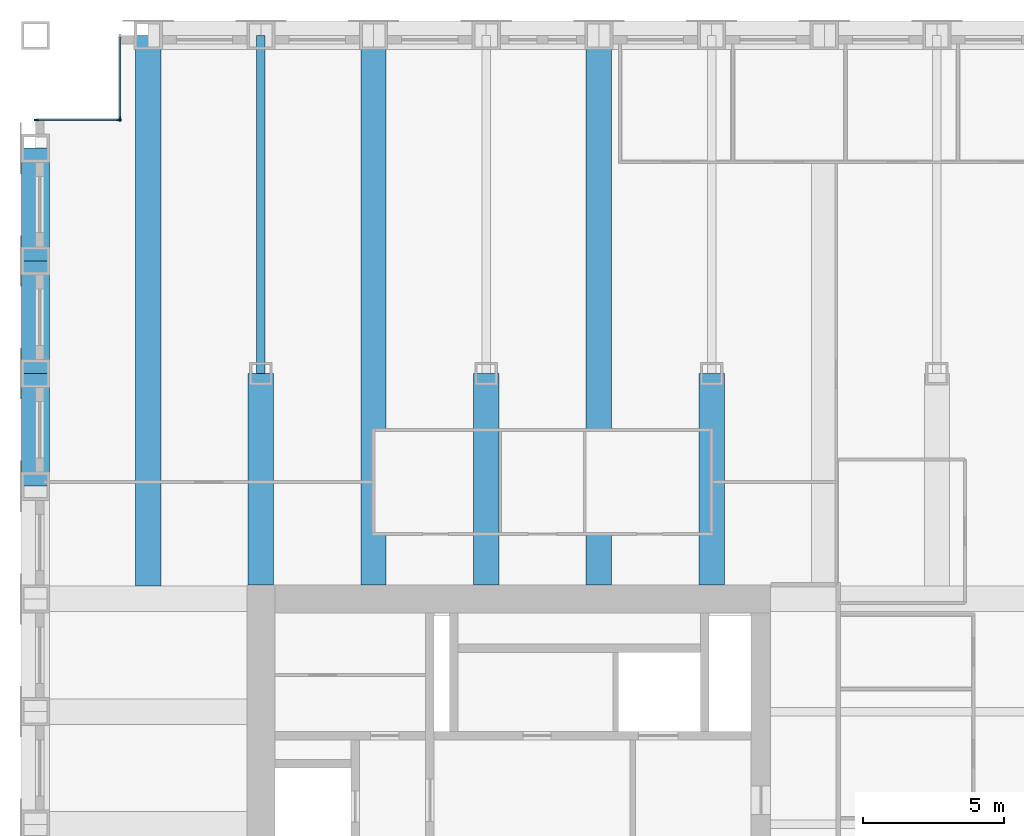
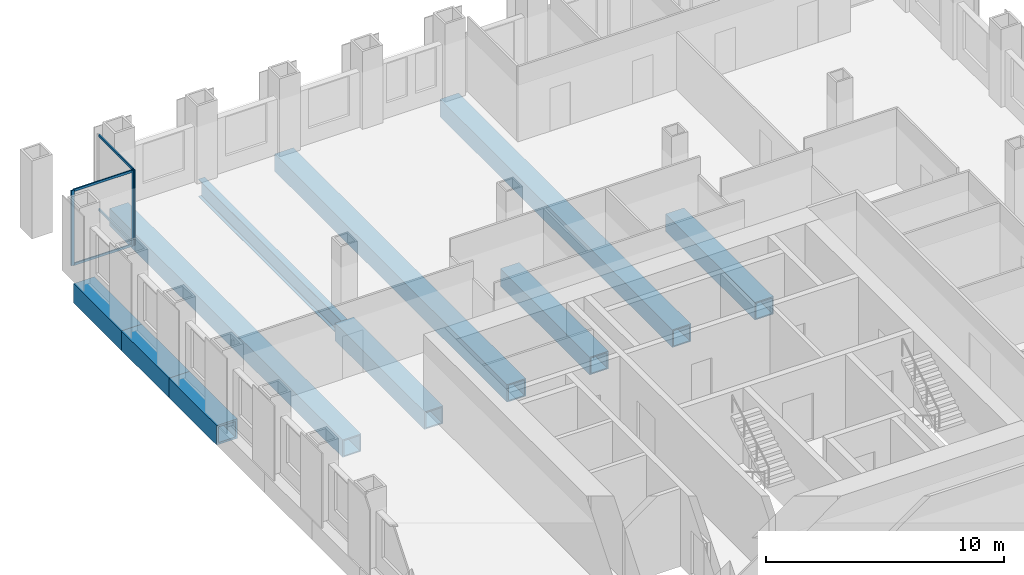
# One storey, part 5 of 13: 10 beams, 7 members, 2 elements without a shape of their own.
"""IFC4 building model written with IfcOpenShell, lengths in metres."""

from ifc_helpers import new_model, si_unit, direction, frame, origin, origin_2d, place, context, subcontext, project, spatial, rectangle, hollow_rectangle, i_section, extrude, material, material_profile, profile_set, type_object, element, aggregate, save


model = new_model("IFC4")

# Units and contexts
model_context = context("Model", 3, precision=1e-05, world=origin(), true_north=direction((0.0, 1.0)))
body_context = subcontext(model_context, "Body", "Model", "MODEL_VIEW")
ifc_project = project(units=[si_unit("LENGTHUNIT", "METRE"), si_unit("AREAUNIT", "SQUARE_METRE"), si_unit("VOLUMEUNIT", "CUBIC_METRE"), si_unit("PLANEANGLEUNIT", "RADIAN"), si_unit("MASSUNIT", "GRAM", prefix="KILO")], contexts=[model_context])

# Site, building, storey
site_placement = place(None, origin())
site = spatial("IfcSite", under=ifc_project, at=site_placement, CompositionType="ELEMENT")
building_placement = place(site_placement, origin())
building = spatial("IfcBuilding", under=site, at=building_placement, Name="Rimbunsela Tower", CompositionType="ELEMENT")
storey_placement = place(building_placement, frame((0.0, 0.0, 218.199951171875)))
storey = spatial("IfcBuildingStorey", under=building, at=storey_placement, Name="L52", CompositionType="ELEMENT", Elevation=218.199951171875)

# Beams
ifc_material_1 = material(Name="Steel BJ 55 (fy 410 MPa)", Category="steel")
ifc_material_profile_1 = material_profile(ifc_material_1, hollow_rectangle(XDim=1.0, YDim=1.0, WallThickness=0.10009765625, at=origin_2d()), Name="BOX 1000x1000x100")
ifc_profile_set_1 = profile_set([ifc_material_profile_1], Name="Steel BJ 55 (fy 410 MPa)")
beam_type_1 = type_object("IfcBeamType", Name="Beam BOX 1000x1000x100", PredefinedType="BEAM", material=ifc_profile_set_1)
for number, where, z_axis, x_axis, name in (
    (1, (10.0, 40.0, -0.64990234375), (0.0, 1.0, 0.0), (-1.0, 0.0, 0.0), "Beam B3 L52"),
    (2, (10.0, 44.0, -0.64990234375), (0.0, 1.0, 0.0), (-1.0, 0.0, 0.0), "Beam B3 L52"),
    (3, (10.0, 48.0, -0.64990234375), (0.0, 1.0, 0.0), (-1.0, 0.0, 0.0), "Beam B3 L52"),
):
    element("IfcBeam", number, at=place(storey_placement, frame(where, z_axis=z_axis, x_axis=x_axis)), inside=storey, type_object=beam_type_1, Name=name, PredefinedType="BEAM", context=body_context, shape_type="SweptSolid", body=[
        extrude(hollow_rectangle(XDim=1.0, YDim=1.0, WallThickness=0.10009765625, at=origin_2d()), origin(), (0.0, 0.0, 1.0), 4.0),
    ])
ifc_material_2 = material(Name="Steel BJ 55 (fy 410 MPa)", Category="steel")
ifc_material_profile_2 = material_profile(ifc_material_2, hollow_rectangle(XDim=0.89990234375, YDim=0.89990234375, WallThickness=0.06005859375, at=origin_2d()), Name="BOX 900x900x60")
ifc_profile_set_2 = profile_set([ifc_material_profile_2], Name="Steel BJ 55 (fy 410 MPa)")
beam_type_2 = type_object("IfcBeamType", Name="Beam BOX 900x900x60", PredefinedType="BEAM", material=ifc_profile_set_2)
beam_1_placement = place(storey_placement, frame((14.0, 36.449951171875, -0.599853515625), z_axis=(0.0, 1.0, 0.0), x_axis=(-1.0, 0.0, 0.0)))
element("IfcBeam", 4, at=beam_1_placement, inside=storey, type_object=beam_type_2, Name="Beam B1 L52", PredefinedType="BEAM", context=body_context, shape_type="SweptSolid", body=[
    extrude(hollow_rectangle(XDim=0.89990234375, YDim=0.89990234375, WallThickness=0.06005859375, at=origin_2d()), origin(), (0.0, 0.0, 1.0), 19.550048828125),
])
beam_2_placement = place(storey_placement, frame((18.0, 36.5, -0.599853515625), z_axis=(0.0, 1.0, 0.0), x_axis=(-1.0, 0.0, 0.0)))
element("IfcBeam", 5, at=beam_2_placement, inside=storey, type_object=beam_type_2, Name="Beam B1 L52", PredefinedType="BEAM", context=body_context, shape_type="SweptSolid", body=[
    extrude(hollow_rectangle(XDim=0.89990234375, YDim=0.89990234375, WallThickness=0.06005859375, at=origin_2d()), origin(), (0.0, 0.0, 1.0), 7.5),
])
beam_3_placement = place(storey_placement, frame((22.0, 36.5, -0.599853515625), z_axis=(0.0, 1.0, 0.0), x_axis=(-1.0, 0.0, 0.0)))
element("IfcBeam", 6, at=beam_3_placement, inside=storey, type_object=beam_type_2, Name="Beam B1 L52", PredefinedType="BEAM", context=body_context, shape_type="SweptSolid", body=[
    extrude(hollow_rectangle(XDim=0.89990234375, YDim=0.89990234375, WallThickness=0.06005859375, at=origin_2d()), origin(), (0.0, 0.0, 1.0), 19.5),
])
beam_4_placement = place(storey_placement, frame((26.0, 36.5, -0.599853515625), z_axis=(0.0, 1.0, 0.0), x_axis=(-1.0, 0.0, 0.0)))
element("IfcBeam", 7, at=beam_4_placement, inside=storey, type_object=beam_type_2, Name="Beam B1 L52", PredefinedType="BEAM", context=body_context, shape_type="SweptSolid", body=[
    extrude(hollow_rectangle(XDim=0.89990234375, YDim=0.89990234375, WallThickness=0.06005859375, at=origin_2d()), origin(), (0.0, 0.0, 1.0), 7.5),
])
beam_5_placement = place(storey_placement, frame((30.0, 36.5, -0.599853515625), z_axis=(0.0, 1.0, 0.0), x_axis=(-1.0, 0.0, 0.0)))
element("IfcBeam", 8, at=beam_5_placement, inside=storey, type_object=beam_type_2, Name="Beam B1 L52", PredefinedType="BEAM", context=body_context, shape_type="SweptSolid", body=[
    extrude(hollow_rectangle(XDim=0.89990234375, YDim=0.89990234375, WallThickness=0.06005859375, at=origin_2d()), origin(), (0.0, 0.0, 1.0), 19.5),
])
beam_6_placement = place(storey_placement, frame((34.0, 36.5, -0.599853515625), z_axis=(0.0, 1.0, 0.0), x_axis=(-1.0, 0.0, 0.0)))
element("IfcBeam", 9, at=beam_6_placement, inside=storey, type_object=beam_type_2, Name="Beam B1 L52", PredefinedType="BEAM", context=body_context, shape_type="SweptSolid", body=[
    extrude(hollow_rectangle(XDim=0.89990234375, YDim=0.89990234375, WallThickness=0.06005859375, at=origin_2d()), origin(), (0.0, 0.0, 1.0), 7.5),
])
ifc_material_3 = material(Name="Steel BJ 55 (fy 410 MPa)", Category="steel")
ifc_material_profile_3 = material_profile(ifc_material_3, i_section(OverallWidth=0.300048828125, OverallDepth=0.89990234375, WebThickness=0.01611328125, FlangeThickness=0.028076171875, FilletRadius=0.028076171875, at=origin_2d()), Name="H 900x300x16x28")
ifc_profile_set_3 = profile_set([ifc_material_profile_3], Name="Steel BJ 55 (fy 410 MPa)")
beam_type_3 = type_object("IfcBeamType", Name="Beam H 900x300x16x28", PredefinedType="BEAM", material=ifc_profile_set_3)
beam_7_placement = place(storey_placement, frame((18.0, 44.0, -0.599853515625), z_axis=(0.0, 1.0, 0.0), x_axis=(-1.0, 0.0, 0.0)))
element("IfcBeam", 10, at=beam_7_placement, inside=storey, type_object=beam_type_3, Name="Beam B2 L52", PredefinedType="BEAM", context=body_context, shape_type="SweptSolid", body=[
    extrude(i_section(OverallWidth=0.300048828125, OverallDepth=0.89990234375, WebThickness=0.01611328125, FlangeThickness=0.028076171875, FilletRadius=0.028076171875, at=origin_2d()), origin(), (0.0, 0.0, 1.0), 12.0),
])

# Curtain wall, member
ifc_material_4 = material(Name="Aluminium curtain wall", Category="aluminium")
curtain_wall_type = type_object("IfcCurtainWallType", Name="Corner glazing", PredefinedType="USERDEFINED", material=ifc_material_4)
curtain_wall_1_placement = place(storey_placement, origin())
curtain_wall_1 = element("IfcCurtainWall", 11, at=curtain_wall_1_placement, inside=storey, type_object=curtain_wall_type, Name="Corner glazing L52", ObjectType="CORNER GLAZING", PredefinedType="USERDEFINED")
ifc_material_5 = material(Name="Aluminium mullion", Category="aluminium")
ifc_material_profile_4 = material_profile(ifc_material_5, rectangle(XDim=0.06005859375, YDim=0.159912109375, at=origin_2d()), Name="Mullion 60x160")
ifc_profile_set_4 = profile_set([ifc_material_profile_4], Name="Aluminium mullion")
member_type_1 = type_object("IfcMemberType", Name="Curtain wall mullion 60x160", PredefinedType="MULLION", material=ifc_profile_set_4)
member_1_placement = place(storey_placement, frame((13.0, 53.030029296875, 0.0), z_axis=(0.0, 0.0, 1.0), x_axis=(1.0, 0.0, 0.0)))
member_1 = element("IfcMember", 12, at=member_1_placement, type_object=member_type_1, Name="CW5 mullion 2", PredefinedType="MULLION", context=body_context, shape_type="SweptSolid", body=[
    extrude(rectangle(XDim=0.06005859375, YDim=0.159912109375, at=origin_2d()), origin(), (0.0, 0.0, 1.0), 3.85009765625),
])

# Curtain wall, members
curtain_wall_2_placement = place(storey_placement, origin())
curtain_wall_2 = element("IfcCurtainWall", 13, at=curtain_wall_2_placement, inside=storey, type_object=curtain_wall_type, Name="Corner glazing L52", ObjectType="CORNER GLAZING", PredefinedType="USERDEFINED")
member_2_placement = place(storey_placement, frame((12.969970703125, 53.0, 0.0), z_axis=(0.0, 0.0, 1.0), x_axis=(0.0, -1.0, 0.0)))
member_2 = element("IfcMember", 14, at=member_2_placement, type_object=member_type_1, Name="CW5 mullion 1", PredefinedType="MULLION", context=body_context, shape_type="SweptSolid", body=[
    extrude(rectangle(XDim=0.06005859375, YDim=0.159912109375, at=origin_2d()), origin(), (0.0, 0.0, 1.0), 3.85009765625),
])
member_3_placement = place(storey_placement, frame((10.030029296875, 53.0, 0.0), z_axis=(0.0, 0.0, 1.0), x_axis=(0.0, -1.0, 0.0)))
member_3 = element("IfcMember", 15, at=member_3_placement, type_object=member_type_1, Name="CW5 mullion 2", PredefinedType="MULLION", context=body_context, shape_type="SweptSolid", body=[
    extrude(rectangle(XDim=0.06005859375, YDim=0.159912109375, at=origin_2d()), origin(), (0.0, 0.0, 1.0), 3.85009765625),
])

# Member
ifc_material_6 = material(Name="Aluminium transom", Category="aluminium")
ifc_material_profile_5 = material_profile(ifc_material_6, rectangle(XDim=0.06005859375, YDim=0.1201171875, at=origin_2d()), Name="Transom 60x120")
ifc_profile_set_5 = profile_set([ifc_material_profile_5], Name="Aluminium transom")
member_type_2 = type_object("IfcMemberType", Name="Curtain wall transom 60x120", PredefinedType="USERDEFINED", material=ifc_profile_set_5)
member_4_placement = place(storey_placement, frame((13.0, 55.93994140625, 0.030029296875), z_axis=(0.0, -1.0, 0.0), x_axis=(1.0, 0.0, 0.0)))
member_4 = element("IfcMember", 16, at=member_4_placement, type_object=member_type_2, Name="CW5 transom 1.1", ObjectType="TRANSOM", PredefinedType="USERDEFINED", context=body_context, shape_type="SweptSolid", body=[
    extrude(rectangle(XDim=0.06005859375, YDim=0.1201171875, at=origin_2d()), origin(), (0.0, 0.0, 1.0), 2.8798828125),
])

member_5_placement = place(storey_placement, frame((13.0, 55.93994140625, 3.820068359375), z_axis=(0.0, -1.0, 0.0), x_axis=(1.0, 0.0, 0.0)))
member_5 = element("IfcMember", 17, at=member_5_placement, type_object=member_type_2, Name="CW5 transom 1.2", ObjectType="TRANSOM", PredefinedType="USERDEFINED", context=body_context, shape_type="SweptSolid", body=[
    extrude(rectangle(XDim=0.06005859375, YDim=0.1201171875, at=origin_2d()), origin(), (0.0, 0.0, 1.0), 2.8798828125),
])

aggregate(curtain_wall_1, [member_1, member_4, member_5])

member_6_placement = place(storey_placement, frame((12.93994140625, 53.0, 0.030029296875), z_axis=(-1.0, 0.0, 0.0), x_axis=(0.0, -1.0, 0.0)))
member_6 = element("IfcMember", 18, at=member_6_placement, type_object=member_type_2, Name="CW5 transom 1.1", ObjectType="TRANSOM", PredefinedType="USERDEFINED", context=body_context, shape_type="SweptSolid", body=[
    extrude(rectangle(XDim=0.06005859375, YDim=0.1201171875, at=origin_2d()), origin(), (0.0, 0.0, 1.0), 2.8798828125),
])

member_7_placement = place(storey_placement, frame((12.93994140625, 53.0, 3.820068359375), z_axis=(-1.0, 0.0, 0.0), x_axis=(0.0, -1.0, 0.0)))
member_7 = element("IfcMember", 19, at=member_7_placement, type_object=member_type_2, Name="CW5 transom 1.2", ObjectType="TRANSOM", PredefinedType="USERDEFINED", context=body_context, shape_type="SweptSolid", body=[
    extrude(rectangle(XDim=0.06005859375, YDim=0.1201171875, at=origin_2d()), origin(), (0.0, 0.0, 1.0), 2.8798828125),
])

aggregate(curtain_wall_2, [member_2, member_3, member_6, member_7])

save(model, "model.ifc")
